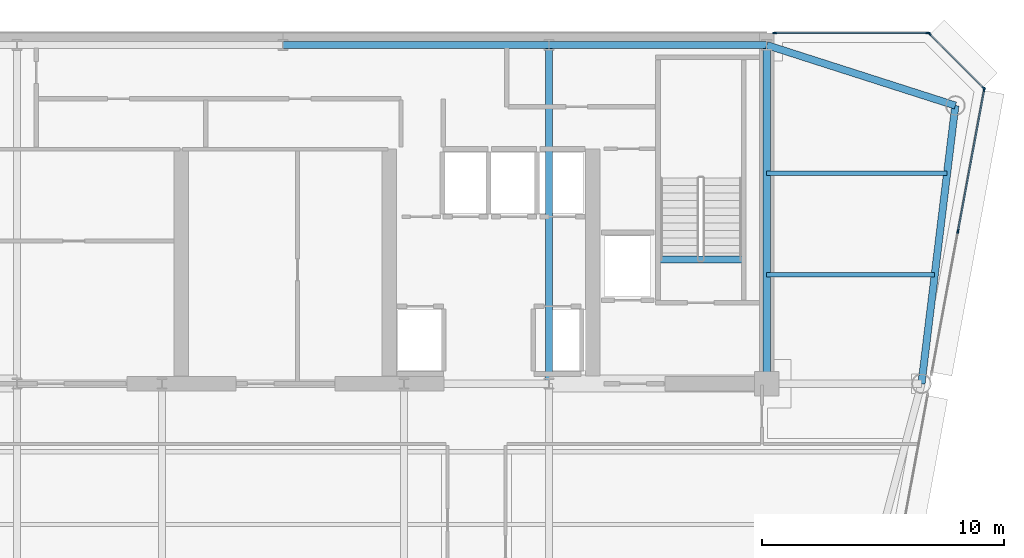
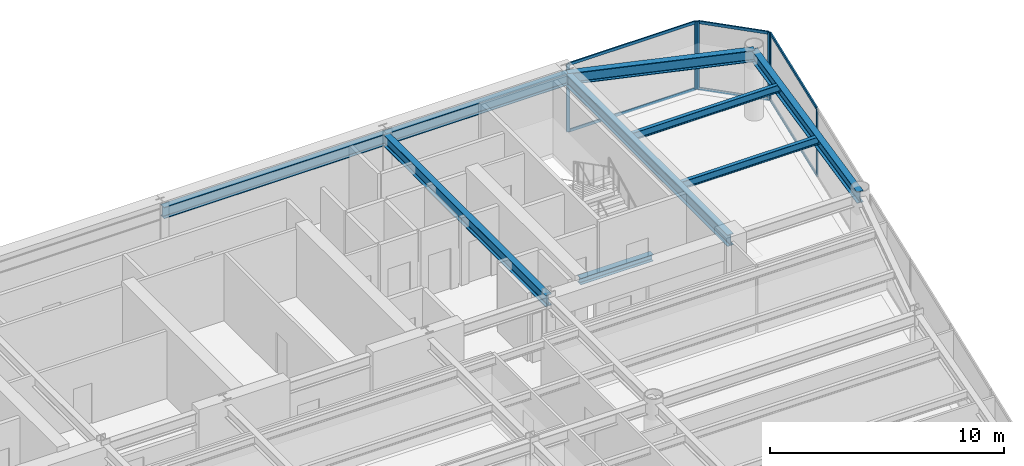
# One storey, part 9 of 17: 12 members, 9 beams, 3 elements without a shape of their own.
"""IFC4 building model written with IfcOpenShell, lengths in metres."""

from ifc_helpers import new_model, si_unit, direction, frame, origin, origin_2d, place, context, subcontext, project, spatial, rectangle, i_section, extrude, source, transform, mapped, material, layer, layer_set, material_profile, profile_set, type_object, element, aggregate, save


model = new_model("IFC4")

# Units and contexts
model_context = context("Model", 3, precision=1e-05, world=origin(), true_north=direction((0.0, 1.0)))
body_context = subcontext(model_context, "Body", "Model", "MODEL_VIEW")
ifc_project = project(units=[si_unit("LENGTHUNIT", "METRE"), si_unit("AREAUNIT", "SQUARE_METRE"), si_unit("VOLUMEUNIT", "CUBIC_METRE"), si_unit("PLANEANGLEUNIT", "RADIAN"), si_unit("MASSUNIT", "GRAM", prefix="KILO")], contexts=[model_context])

# Site, building, storey
site_placement = place(None, origin())
site = spatial("IfcSite", under=ifc_project, at=site_placement, CompositionType="ELEMENT")
building_placement = place(site_placement, origin())
building = spatial("IfcBuilding", under=site, at=building_placement, Name="Vaeldorn Concourse Tower", CompositionType="ELEMENT")
storey_placement = place(building_placement, frame((0.0, 0.0, 214.60009765625)))
storey = spatial("IfcBuildingStorey", under=building, at=storey_placement, Name="L55", CompositionType="ELEMENT", Elevation=214.60009765625)

# Beams
ifc_material_1 = material(Name="Steel S355", Category="steel")
ifc_material_profile_1 = material_profile(ifc_material_1, i_section(OverallWidth=0.300048828125, OverallDepth=0.340087890625, WebThickness=0.011962890625, FlangeThickness=0.021484375, FilletRadius=0.027099609375, at=origin_2d()), Name="HEB 340")
ifc_profile_set_1 = profile_set([ifc_material_profile_1], Name="Steel S355")
beam_type_1 = type_object("IfcBeamType", Name="BM-ST-TRIM", PredefinedType="BEAM", material=ifc_profile_set_1)
shared_shape_1 = source(origin(), body_context, "Body", "SweptSolid", [
    extrude(i_section(OverallWidth=0.300048828125, OverallDepth=0.340087890625, WebThickness=0.011962890625, FlangeThickness=0.021484375, FilletRadius=0.027099609375, at=origin_2d()), origin(), (0.0, 0.0, 1.0), 3.590087890625),
])
beam_1_placement = place(storey_placement, frame((49.47998046875, 41.639892578125, -0.39013671875), z_axis=(1.0, 0.0, 0.0), x_axis=(0.0, 1.0, 0.0)))
element("IfcBeam", 1, at=beam_1_placement, inside=storey, type_object=beam_type_1, Name="Stair Landing Trimmer Beam ST-2 L55", PredefinedType="BEAM", context=body_context, shape_type="MappedRepresentation", body=[
    mapped(shared_shape_1, transform((0.0, 0.0, 0.0), scale=1.0)),
])
ifc_material_profile_2 = material_profile(ifc_material_1, i_section(OverallWidth=0.300048828125, OverallDepth=0.60009765625, WebThickness=0.015380859375, FlangeThickness=0.030029296875, FilletRadius=0.027099609375, at=origin_2d()), Name="HEB 600")
ifc_profile_set_2 = profile_set([ifc_material_profile_2], Name="Steel S355")
beam_type_2 = type_object("IfcBeamType", Name="BM-PG-HEB600", PredefinedType="BEAM", material=ifc_profile_set_2)
shared_shape_2 = source(origin(), body_context, "Body", "SweptSolid", [
    extrude(i_section(OverallWidth=0.300048828125, OverallDepth=0.60009765625, WebThickness=0.015380859375, FlangeThickness=0.030029296875, FilletRadius=0.027099609375, at=origin_2d()), origin(), (0.0, 0.0, 1.0), 9.0),
])
beam_2_placement = place(storey_placement, frame((45.0, 50.5, 3.239990234375), z_axis=(1.0, 0.0, 0.0), x_axis=(0.0, 1.0, 0.0)))
element("IfcBeam", 2, at=beam_2_placement, inside=storey, type_object=beam_type_2, Name="Beam BM-L55-C-HC4-C-HC5", PredefinedType="BEAM", context=body_context, shape_type="MappedRepresentation", body=[
    mapped(shared_shape_2, transform((0.0, 0.0, 0.0), scale=1.0)),
])
shared_shape_3 = source(origin(), body_context, "Body", "SweptSolid", [
    extrude(i_section(OverallWidth=0.300048828125, OverallDepth=0.60009765625, WebThickness=0.015380859375, FlangeThickness=0.030029296875, FilletRadius=0.027099609375, at=origin_2d()), origin(), (0.0, 0.0, 1.0), 11.0),
])
beam_3_placement = place(storey_placement, frame((34.0, 50.5, 3.239990234375), z_axis=(1.0, 0.0, 0.0), x_axis=(0.0, 1.0, 0.0)))
element("IfcBeam", 3, at=beam_3_placement, inside=storey, type_object=beam_type_2, Name="Beam BM-L55-C-HC3-C-HC4", PredefinedType="BEAM", context=body_context, shape_type="MappedRepresentation", body=[
    mapped(shared_shape_3, transform((0.0, 0.0, 0.0), scale=1.0)),
])
shared_shape_4 = source(origin(), body_context, "Body", "SweptSolid", [
    extrude(i_section(OverallWidth=0.300048828125, OverallDepth=0.60009765625, WebThickness=0.015380859375, FlangeThickness=0.030029296875, FilletRadius=0.027099609375, at=origin_2d()), origin(), (0.0, 0.0, 1.0), 14.0),
])
for number, where, z_axis, x_axis, name in (
    (4, (45.0, 36.5, 3.239990234375), (0.0, 1.0, 0.0), (-1.0, 0.0, 0.0), "Beam BM-L55-C-FC5-C-HC4"),
    (5, (54.0, 36.5, 3.239990234375), (0.0, 1.0, 0.0), (-1.0, 0.0, 0.0), "Beam BM-L55-C-FC6-C-HC5"),
):
    element("IfcBeam", number, at=place(storey_placement, frame(where, z_axis=z_axis, x_axis=x_axis)), inside=storey, type_object=beam_type_2, Name=name, PredefinedType="BEAM", context=body_context, shape_type="MappedRepresentation", body=[
        mapped(shared_shape_4, transform((0.0, 0.0, 0.0), scale=1.0)),
    ])
shared_shape_5 = source(origin(), body_context, "Body", "SweptSolid", [
    extrude(i_section(OverallWidth=0.300048828125, OverallDepth=0.60009765625, WebThickness=0.015380859375, FlangeThickness=0.030029296875, FilletRadius=0.027099609375, at=origin_2d()), origin(), (0.0, 0.0, 1.0), 8.19091796875),
])
beam_4_placement = place(storey_placement, frame((54.0, 50.5, 3.239990234375), z_axis=(0.952282843383, -0.305216949396, 0.0), x_axis=(0.305216949396, 0.952282843383, 0.0)))
element("IfcBeam", 6, at=beam_4_placement, inside=storey, type_object=beam_type_2, Name="Beam BM-L55-C-HC5-C-NE1", PredefinedType="BEAM", context=body_context, shape_type="MappedRepresentation", body=[
    mapped(shared_shape_5, transform((0.0, 0.0, 0.0), scale=1.0)),
])
shared_shape_6 = source(origin(), body_context, "Body", "SweptSolid", [
    extrude(i_section(OverallWidth=0.300048828125, OverallDepth=0.60009765625, WebThickness=0.015380859375, FlangeThickness=0.030029296875, FilletRadius=0.027099609375, at=origin_2d()), origin(), (0.0, 0.0, 1.0), 11.5849609375),
])
beam_5_placement = place(storey_placement, frame((61.800048828125, 48.0, 3.239990234375), z_axis=(-0.120859382899, -0.992669637677, 0.0), x_axis=(0.992669637677, -0.120859382899, 0.0)))
element("IfcBeam", 7, at=beam_5_placement, inside=storey, type_object=beam_type_2, Name="Beam BM-L55-C-NE1-C-NE2", PredefinedType="BEAM", context=body_context, shape_type="MappedRepresentation", body=[
    mapped(shared_shape_6, transform((0.0, 0.0, 0.0), scale=1.0)),
])
ifc_material_profile_3 = material_profile(ifc_material_1, i_section(OverallWidth=0.179931640625, OverallDepth=0.39990234375, WebThickness=0.008544921875, FlangeThickness=0.013427734375, FilletRadius=0.02099609375, at=origin_2d()), Name="IPE 400")
ifc_profile_set_3 = profile_set([ifc_material_profile_3], Name="Steel S355")
beam_type_3 = type_object("IfcBeamType", Name="BM-JS-IPE400", PredefinedType="JOIST", material=ifc_profile_set_3)
shared_shape_7 = source(origin(), body_context, "Body", "SweptSolid", [
    extrude(i_section(OverallWidth=0.179931640625, OverallDepth=0.39990234375, WebThickness=0.008544921875, FlangeThickness=0.013427734375, FilletRadius=0.02099609375, at=origin_2d()), origin(), (0.0, 0.0, 1.0), 6.94775390625),
])
beam_6_placement = place(storey_placement, frame((54.0, 41.0, 3.33984375), z_axis=(1.0, 0.0, 0.0), x_axis=(0.0, 1.0, 0.0)))
element("IfcBeam", 8, at=beam_6_placement, inside=storey, type_object=beam_type_3, Name="Beam JS-L55-NE-410", PredefinedType="JOIST", context=body_context, shape_type="MappedRepresentation", body=[
    mapped(shared_shape_7, transform((0.0, 0.0, 0.0), scale=1.0)),
])
shared_shape_8 = source(origin(), body_context, "Body", "SweptSolid", [
    extrude(i_section(OverallWidth=0.179931640625, OverallDepth=0.39990234375, WebThickness=0.008544921875, FlangeThickness=0.013427734375, FilletRadius=0.02099609375, at=origin_2d()), origin(), (0.0, 0.0, 1.0), 7.458984375),
])
beam_7_placement = place(storey_placement, frame((54.0, 45.199951171875, 3.33984375), z_axis=(1.0, 0.0, 0.0), x_axis=(0.0, 1.0, 0.0)))
element("IfcBeam", 9, at=beam_7_placement, inside=storey, type_object=beam_type_3, Name="Beam JS-L55-NE-452", PredefinedType="JOIST", context=body_context, shape_type="MappedRepresentation", body=[
    mapped(shared_shape_8, transform((0.0, 0.0, 0.0), scale=1.0)),
])

# Curtain wall, members
ifc_material_2 = material(Name="Anodised Bronze Aluminium", Category="aluminium")
ifc_layer = layer(ifc_material_2, 0.18994140625)
ifc_layer_set = layer_set([ifc_layer], Name="Anodised Bronze Aluminium")
curtain_wall_type = type_object("IfcCurtainWallType", Name="CW-SYS-03", PredefinedType="NOTDEFINED", material=ifc_layer_set)
curtain_wall_1_placement = place(storey_placement, origin())
curtain_wall_1 = element("IfcCurtainWall", 10, at=curtain_wall_1_placement, inside=storey, type_object=curtain_wall_type, Name="Unitised Curtain Wall CW-L55-E08-1", PredefinedType="NOTDEFINED")
ifc_material_profile_4 = material_profile(ifc_material_2, rectangle(XDim=0.06494140625, YDim=0.14990234375, at=origin_2d()), Name="CWT 65x150")
ifc_profile_set_4 = profile_set([ifc_material_profile_4], Name="Anodised Bronze Aluminium")
member_type_1 = type_object("IfcMemberType", Name="CWT-BRONZE-150", PredefinedType="USERDEFINED", material=ifc_profile_set_4)
shared_shape_9 = source(origin(), body_context, "Body", "SweptSolid", [
    extrude(rectangle(XDim=0.06494140625, YDim=0.14990234375, at=origin_2d()), origin(), (0.0, 0.0, 1.0), 3.123046875),
])
member_1_placement = place(storey_placement, frame((62.9541015625, 48.745849609375, 0.032470703125), z_axis=(-0.707106781187, 0.707106781187, 0.0), x_axis=(-0.707106781187, -0.707106781187, 0.0)))
member_1 = element("IfcMember", 11, at=member_1_placement, type_object=member_type_1, Name="CW-03 transom 1.1", ObjectType="TRANSOM", PredefinedType="USERDEFINED", context=body_context, shape_type="MappedRepresentation", body=[
    mapped(shared_shape_9, transform((0.0, 0.0, 0.0), scale=1.0)),
])
member_2_placement = place(storey_placement, frame((62.9541015625, 48.745849609375, 3.50732421875), z_axis=(-0.707106781187, 0.707106781187, 0.0), x_axis=(-0.707106781187, -0.707106781187, 0.0)))
member_2 = element("IfcMember", 12, at=member_2_placement, type_object=member_type_1, Name="CW-03 transom 1.2", ObjectType="TRANSOM", PredefinedType="USERDEFINED", context=body_context, shape_type="MappedRepresentation", body=[
    mapped(shared_shape_9, transform((0.0, 0.0, 0.0), scale=1.0)),
])

curtain_wall_2_placement = place(storey_placement, origin())
curtain_wall_2 = element("IfcCurtainWall", 13, at=curtain_wall_2_placement, inside=storey, type_object=curtain_wall_type, Name="Unitised Curtain Wall CW-L55-E09-1", PredefinedType="NOTDEFINED")
shared_shape_10 = source(origin(), body_context, "Body", "SweptSolid", [
    extrude(rectangle(XDim=0.06494140625, YDim=0.14990234375, at=origin_2d()), origin(), (0.0, 0.0, 1.0), 6.27490234375),
])
member_3_placement = place(storey_placement, frame((60.635009765625, 51.0, 0.032470703125), z_axis=(-1.0, 0.0, 0.0), x_axis=(0.0, -1.0, 0.0)))
member_3 = element("IfcMember", 14, at=member_3_placement, type_object=member_type_1, Name="CW-03 transom 1.1", ObjectType="TRANSOM", PredefinedType="USERDEFINED", context=body_context, shape_type="MappedRepresentation", body=[
    mapped(shared_shape_10, transform((0.0, 0.0, 0.0), scale=1.0)),
])
member_4_placement = place(storey_placement, frame((60.635009765625, 51.0, 3.50732421875), z_axis=(-1.0, 0.0, 0.0), x_axis=(0.0, -1.0, 0.0)))
member_4 = element("IfcMember", 15, at=member_4_placement, type_object=member_type_1, Name="CW-03 transom 1.2", ObjectType="TRANSOM", PredefinedType="USERDEFINED", context=body_context, shape_type="MappedRepresentation", body=[
    mapped(shared_shape_10, transform((0.0, 0.0, 0.0), scale=1.0)),
])

curtain_wall_3_placement = place(storey_placement, origin())
curtain_wall_3 = element("IfcCurtainWall", 16, at=curtain_wall_3_placement, inside=storey, type_object=curtain_wall_type, Name="Unitised Curtain Wall CW-L55-E07-2", PredefinedType="NOTDEFINED")
shared_shape_11 = source(origin(), body_context, "Body", "SweptSolid", [
    extrude(rectangle(XDim=0.06494140625, YDim=0.14990234375, at=origin_2d()), origin(), (0.0, 0.0, 1.0), 5.90478515625),
])
member_5_placement = place(storey_placement, frame((61.9140625, 42.829833984375, 0.032470703125), z_axis=(0.181926392545, 0.983312151707, 0.0), x_axis=(-0.983312151707, 0.181926392545, 0.0)))
member_5 = element("IfcMember", 17, at=member_5_placement, type_object=member_type_1, Name="CW-03 transom 2.1", ObjectType="TRANSOM", PredefinedType="USERDEFINED", context=body_context, shape_type="MappedRepresentation", body=[
    mapped(shared_shape_11, transform((0.0, 0.0, 0.0), scale=1.0)),
])
member_6_placement = place(storey_placement, frame((61.9140625, 42.829833984375, 3.50732421875), z_axis=(0.181926392545, 0.983312151707, 0.0), x_axis=(-0.983312151707, 0.181926392545, 0.0)))
member_6 = element("IfcMember", 18, at=member_6_placement, type_object=member_type_1, Name="CW-03 transom 2.2", ObjectType="TRANSOM", PredefinedType="USERDEFINED", context=body_context, shape_type="MappedRepresentation", body=[
    mapped(shared_shape_11, transform((0.0, 0.0, 0.0), scale=1.0)),
])
ifc_material_profile_5 = material_profile(ifc_material_2, rectangle(XDim=0.06494140625, YDim=0.169921875, at=origin_2d()), Name="CWM 65x170")
ifc_profile_set_5 = profile_set([ifc_material_profile_5], Name="Anodised Bronze Aluminium")
member_type_2 = type_object("IfcMemberType", Name="CWM-BRONZE-170", PredefinedType="MULLION", material=ifc_profile_set_5)
shared_shape_12 = source(origin(), body_context, "Body", "SweptSolid", [
    extrude(rectangle(XDim=0.06494140625, YDim=0.169921875, at=origin_2d()), origin(), (0.0, 0.0, 1.0), 3.539794921875),
])
member_7_placement = place(storey_placement, frame((61.908203125, 42.7978515625, 0.0), z_axis=(0.0, 0.0, 1.0), x_axis=(-0.983319270992, 0.181887908602, 0.0)))
member_7 = element("IfcMember", 19, at=member_7_placement, type_object=member_type_2, Name="CW-03 mullion 2", PredefinedType="MULLION", context=body_context, shape_type="MappedRepresentation", body=[
    mapped(shared_shape_12, transform((0.0, 0.0, 0.0), scale=1.0)),
])
member_8_placement = place(storey_placement, frame((62.994140625, 48.66796875, 0.0), z_axis=(0.0, 0.0, 1.0), x_axis=(-0.983319270992, 0.181887908602, 0.0)))
member_8 = element("IfcMember", 20, at=member_8_placement, type_object=member_type_2, Name="CW-03 mullion 3", PredefinedType="MULLION", context=body_context, shape_type="MappedRepresentation", body=[
    mapped(shared_shape_12, transform((0.0, 0.0, 0.0), scale=1.0)),
])
aggregate(curtain_wall_3, [member_7, member_8, member_5, member_6])

# Member
member_9_placement = place(storey_placement, frame((62.97705078125, 48.722900390625, 0.0), z_axis=(0.0, 0.0, 1.0), x_axis=(-0.707106781187, -0.707106781187, 0.0)))
member_9 = element("IfcMember", 21, at=member_9_placement, type_object=member_type_2, Name="CW-03 mullion 1", PredefinedType="MULLION", context=body_context, shape_type="MappedRepresentation", body=[
    mapped(shared_shape_12, transform((0.0, 0.0, 0.0), scale=1.0)),
])

member_10_placement = place(storey_placement, frame((60.722900390625, 50.97705078125, 0.0), z_axis=(0.0, 0.0, 1.0), x_axis=(-0.707106781187, -0.707106781187, 0.0)))
member_10 = element("IfcMember", 22, at=member_10_placement, type_object=member_type_2, Name="CW-03 mullion 2", PredefinedType="MULLION", context=body_context, shape_type="MappedRepresentation", body=[
    mapped(shared_shape_12, transform((0.0, 0.0, 0.0), scale=1.0)),
])

aggregate(curtain_wall_1, [member_9, member_10, member_1, member_2])

member_11_placement = place(storey_placement, frame((60.66748046875, 51.0, 0.0), z_axis=(0.0, 0.0, 1.0), x_axis=(0.0, -1.0, 0.0)))
member_11 = element("IfcMember", 23, at=member_11_placement, type_object=member_type_2, Name="CW-03 mullion 1", PredefinedType="MULLION", context=body_context, shape_type="MappedRepresentation", body=[
    mapped(shared_shape_12, transform((0.0, 0.0, 0.0), scale=1.0)),
])

member_12_placement = place(storey_placement, frame((54.327392578125, 51.0, 0.0), z_axis=(0.0, 0.0, 1.0), x_axis=(0.0, -1.0, 0.0)))
member_12 = element("IfcMember", 24, at=member_12_placement, type_object=member_type_2, Name="CW-03 mullion 2", PredefinedType="MULLION", context=body_context, shape_type="MappedRepresentation", body=[
    mapped(shared_shape_12, transform((0.0, 0.0, 0.0), scale=1.0)),
])

aggregate(curtain_wall_2, [member_11, member_12, member_3, member_4])

save(model, "model.ifc")
